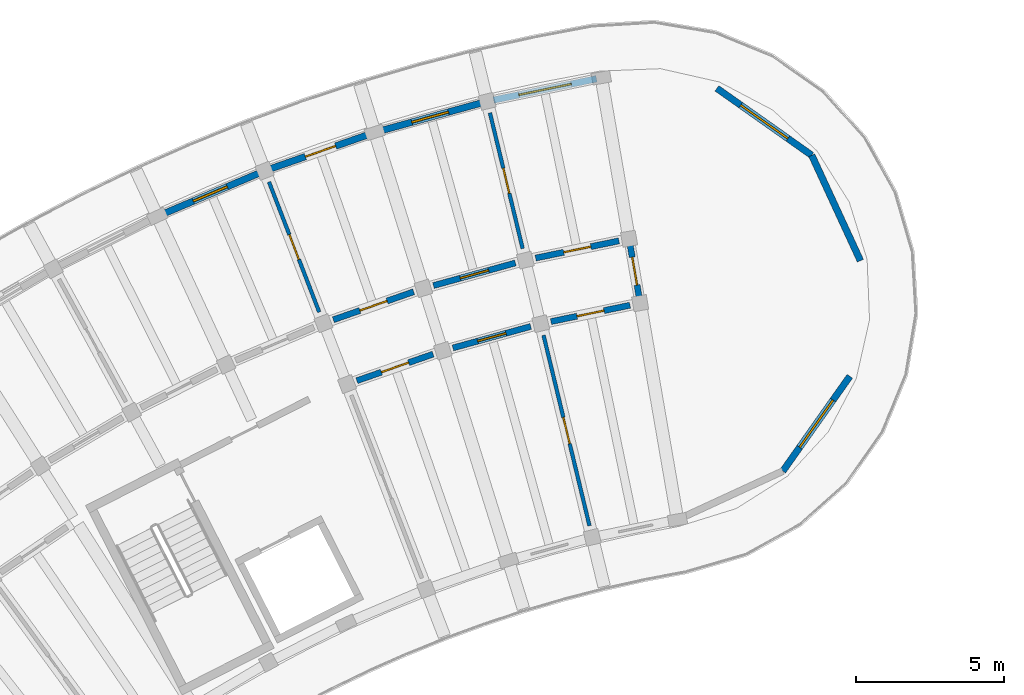
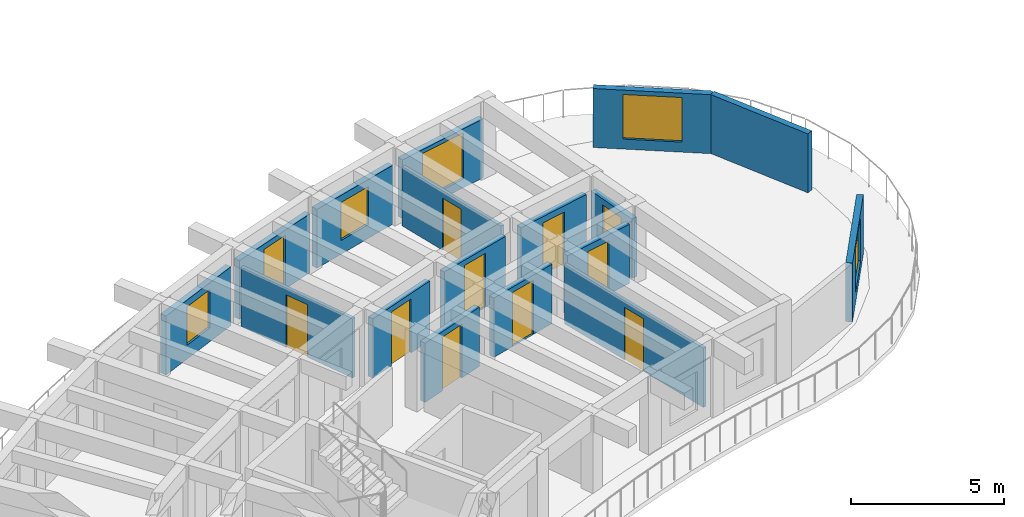
# One storey, part 22 of 41: 17 walls, 11 doors, 5 windows, 16 openings.
"""IFC4 building model written with IfcOpenShell, lengths in metres."""

import ifcopenshell
import ifcopenshell.guid

model = None  # the IFC model being written
_history = None  # IfcOwnerHistory: only IFC2X3 demands one
_inside = {}  # id of a spatial element -> (the spatial element, [elements in it])
_under = {}  # id of a project, library or spatial element -> (it, [spatial elements below it])
_declared = {}  # id of a project -> (the project, [libraries it declares])
_typed = {}  # id of a type object -> (the type object, [elements of that type])
_made_of = {}  # id of a material, layer set ... -> (it, [elements and type objects made of it])


def new_model(schema):
    """Start an empty IFC model of exactly this schema.

    Asked for "IFC4X3", IfcOpenShell would pick the latest addendum, in which some entities
    have other attributes; the version numbers below select the first issue.
    IFC2X3 requires an IfcOwnerHistory on every rooted entity: one is made here for all.
    """
    global model, _history
    if schema == "IFC4X3":
        model = ifcopenshell.file(schema_version=(4, 3, 0, 0))
    else:
        model = ifcopenshell.file(schema=schema)
    _inside.clear()
    _under.clear()
    _declared.clear()
    _typed.clear()
    _made_of.clear()
    _history = None
    if model.schema == "IFC2X3":
        org = make("IfcOrganization", Name="unknown")
        user = make(
            "IfcPersonAndOrganization",
            ThePerson=make("IfcPerson", FamilyName="unknown"),
            TheOrganization=org,
        )
        app = make(
            "IfcApplication",
            ApplicationDeveloper=org,
            Version="unknown",
            ApplicationFullName="unknown",
            ApplicationIdentifier="unknown",
        )
        _history = make(
            "IfcOwnerHistory",
            OwningUser=user,
            OwningApplication=app,
            ChangeAction="ADDED",
            CreationDate=0,
        )
    return model


def make(cls, **values):
    """One entity of the class cls with the attributes given. An attribute that is None is left unset."""
    return model.create_entity(
        cls, **{name: value for name, value in values.items() if value is not None}
    )


def rooted(cls, **values):
    """An entity with a GlobalId (a new one), such as an element, a storey or a relation."""
    return make(cls, GlobalId=ifcopenshell.guid.new(), OwnerHistory=_history, **values)


def si_unit(unit_type, name, prefix=None):
    """IfcSIUnit, for example si_unit("LENGTHUNIT", "METRE", prefix="MILLI")."""
    return make("IfcSIUnit", UnitType=unit_type, Prefix=prefix, Name=name)


def assignment(units):
    """IfcUnitAssignment: the units of a project."""
    return None if units is None else make("IfcUnitAssignment", Units=units)


def point(xyz):
    """IfcCartesianPoint."""
    return None if xyz is None else make("IfcCartesianPoint", Coordinates=xyz)


def direction(xyz):
    """IfcDirection."""
    return None if xyz is None else make("IfcDirection", DirectionRatios=xyz)


def frame(location, z_axis=None, x_axis=None):
    """IfcAxis2Placement3D, a coordinate frame: its origin and axes. An axis left out is left unset."""
    return make(
        "IfcAxis2Placement3D",
        Location=point(location),
        Axis=direction(z_axis),
        RefDirection=direction(x_axis),
    )


def frame_2d(location, x_axis=None):
    """IfcAxis2Placement2D, a coordinate frame in the plane: its origin and x axis."""
    return make(
        "IfcAxis2Placement2D", Location=point(location), RefDirection=direction(x_axis)
    )


def origin():
    """The frame at (0, 0, 0) with its axes left unset."""
    return frame((0.0, 0.0, 0.0))


def place(relative_to, where):
    """IfcLocalPlacement: puts the frame where relative to a parent placement (None: the world)."""
    return make(
        "IfcLocalPlacement", PlacementRelTo=relative_to, RelativePlacement=where
    )


def context(
    kind, dimensions, precision=None, world=None, true_north=None, identifier=None
):
    """IfcGeometricRepresentationContext, for example the 3D "Model" context."""
    return make(
        "IfcGeometricRepresentationContext",
        ContextIdentifier=identifier,
        ContextType=kind,
        CoordinateSpaceDimension=dimensions,
        Precision=precision,
        WorldCoordinateSystem=world,
        TrueNorth=true_north,
    )


def subcontext(parent, identifier, kind, view, scale=None):
    """IfcGeometricRepresentationSubContext, for example "Body" below "Model"."""
    return make(
        "IfcGeometricRepresentationSubContext",
        ContextIdentifier=identifier,
        ContextType=kind,
        ParentContext=parent,
        TargetScale=scale,
        TargetView=view,
    )


def project(units=None, contexts=None):
    """IfcProject with its units and contexts."""
    return rooted(
        "IfcProject",
        Name="project",
        RepresentationContexts=contexts,
        UnitsInContext=assignment(units),
    )


def spatial(cls, under=None, at=None, **own):
    """A site, building, storey or space (cls), placed at a placement, below another one or the project."""
    s = rooted(cls, ObjectPlacement=at, **own)
    if under is not None:
        _under.setdefault(under.id(), (under, []))[1].append(s)
    return s


def profile(cls, at=None, kind="AREA", **sizes):
    """A parametric profile (cls). Its sizes go by their IFC names, for example OverallWidth=200.0."""
    return make(cls, ProfileType=kind, Position=at, **sizes)


def rectangle(**sizes):
    """IfcRectangleProfileDef."""
    return profile("IfcRectangleProfileDef", **sizes)


def extrude(swept, where, along, depth):
    """IfcExtrudedAreaSolid: the profile swept, set in the frame where, extruded along a direction by depth."""
    return make(
        "IfcExtrudedAreaSolid",
        SweptArea=swept,
        Position=where,
        ExtrudedDirection=direction(along),
        Depth=depth,
    )


def shape(context_of_items, identifier, shape_type, items):
    """IfcShapeRepresentation: the items that make up one representation, for example the "Body"."""
    return make(
        "IfcShapeRepresentation",
        ContextOfItems=context_of_items,
        RepresentationIdentifier=identifier,
        RepresentationType=shape_type,
        Items=items,
    )


def material(Name=None, Category=None):
    """IfcMaterial."""
    return make("IfcMaterial", Name=Name, Category=Category)


def layer(
    of_material, thickness, ventilated=None, Name=None, Category=None, Priority=None
):
    """IfcMaterialLayer: one layer of a wall or slab, of a material (None: an air gap)."""
    return make(
        "IfcMaterialLayer",
        Material=of_material,
        LayerThickness=thickness,
        IsVentilated=ventilated,
        Name=Name,
        Category=Category,
        Priority=Priority,
    )


def layer_set(layers, Name=None):
    """IfcMaterialLayerSet."""
    return make("IfcMaterialLayerSet", MaterialLayers=layers, LayerSetName=Name)


def made_of(thing, what):
    """Note that an element or type object is made of a material, layer set ...; save() writes the relation."""
    if what is not None:
        _made_of.setdefault(what.id(), (what, []))[1].append(thing)
    return thing


def type_object(cls, material=None, **own):
    """A type object (cls), such as IfcWallType, which elements share."""
    return made_of(rooted(cls, **own), material)


def element(
    cls,
    number,
    at=None,
    inside=None,
    cuts=None,
    type_object=None,
    material=None,
    context=None,
    identifier="Body",
    shape_type=None,
    held_by="IfcProductDefinitionShape",
    body=None,
    shapes=None,
    **own,
):
    """One element of the class cls, such as IfcWall. Its Tag is "e" and its number.

    at: its placement. inside: the storey or other place that contains it. cuts: it is an
    opening in that element (IfcRelVoidsElement). A single representation is given by context,
    identifier, shape_type and body (its items); several are given by shapes. held_by: the class
    of the entity that holds the representations. save() writes the other relations.
    """
    e = rooted(cls, Tag="e%d" % number, ObjectPlacement=at, **own)
    if body is not None:
        shapes = [shape(context, identifier, shape_type, body)]
    if shapes is not None:
        e.Representation = make(held_by, Representations=shapes)
    if inside is not None:
        _inside.setdefault(inside.id(), (inside, []))[1].append(e)
    if cuts is not None:
        rooted(
            "IfcRelVoidsElement", RelatingBuildingElement=cuts, RelatedOpeningElement=e
        )
    if type_object is not None:
        _typed.setdefault(type_object.id(), (type_object, []))[1].append(e)
    return made_of(e, material)


def fill(opening, filler):
    """IfcRelFillsElement: the door or window that sits in an opening."""
    return rooted(
        "IfcRelFillsElement",
        RelatingOpeningElement=opening,
        RelatedBuildingElement=filler,
    )


def aggregate(whole, parts):
    """IfcRelAggregates: a whole, such as a stair, and the parts it consists of."""
    return rooted("IfcRelAggregates", RelatingObject=whole, RelatedObjects=parts)


def save(model, path):
    """Write the relations noted so far, then the file.

    IfcRelAggregates (storeys below a building ...), IfcRelContainedInSpatialStructure (elements
    in a storey), IfcRelDefinesByType, IfcRelAssociatesMaterial and IfcRelDeclares: one each for
    every whole, place, type object, material and project.
    """
    for whole, parts in _under.values():
        aggregate(whole, parts)
    for where, things in _inside.values():
        rooted(
            "IfcRelContainedInSpatialStructure",
            RelatedElements=things,
            RelatingStructure=where,
        )
    for kind, things in _typed.values():
        rooted("IfcRelDefinesByType", RelatedObjects=things, RelatingType=kind)
    for what, things in _made_of.values():
        rooted("IfcRelAssociatesMaterial", RelatedObjects=things, RelatingMaterial=what)
    for by, libraries in _declared.values():
        rooted("IfcRelDeclares", RelatingContext=by, RelatedDefinitions=libraries)
    model.write(path)


model = new_model("IFC4")

# Units and contexts
model_context = context("Model", 3, precision=1e-05, world=origin(), true_north=direction((0.0, 1.0)))
body_context = subcontext(model_context, "Body", "Model", "MODEL_VIEW")
ifc_project = project(units=[si_unit("LENGTHUNIT", "METRE"), si_unit("AREAUNIT", "SQUARE_METRE"), si_unit("VOLUMEUNIT", "CUBIC_METRE"), si_unit("PLANEANGLEUNIT", "RADIAN"), si_unit("MASSUNIT", "GRAM", prefix="KILO")], contexts=[model_context])

# Site, building, storey
site_placement = place(None, origin())
site = spatial("IfcSite", under=ifc_project, at=site_placement, CompositionType="ELEMENT")
building_placement = place(site_placement, origin())
building = spatial("IfcBuilding", under=site, at=building_placement, Name="Tanwirah Colonnade Gardens", CompositionType="ELEMENT")
storey_placement = place(building_placement, frame((0.0, 0.0, 35.719970703125)))
storey = spatial("IfcBuildingStorey", under=building, at=storey_placement, Name="L10", CompositionType="ELEMENT", Elevation=35.719970703125)

# Wall, opening, window
ifc_material_1 = material(Name="Limestone architectural precast concrete C40/50", Category="masonry")
ifc_layer_1 = layer(ifc_material_1, 0.22509765625)
ifc_layer_set_1 = layer_set([ifc_layer_1], Name="Limestone architectural precast concrete C40/50")
wall_type_1 = type_object("IfcWallType", Name="EW-PC225", PredefinedType="SOLIDWALL", material=ifc_layer_set_1)
wall_1_placement = place(storey_placement, frame((54.72509765625, 118.8515625, 0.0), z_axis=(0.0, 0.0, 1.0), x_axis=(-0.979336300967, -0.202238496848, 0.0)))
wall_1 = element("IfcWall", 1, at=wall_1_placement, inside=storey, type_object=wall_type_1, Name="Block A L10 OUT Precast Facade Wall 1", PredefinedType="SOLIDWALL", context=body_context, shape_type="SweptSolid", body=[
    extrude(rectangle(XDim=3.540771484375, YDim=0.22509765625, at=frame_2d((1.7705078125, 0.0))), origin(), (0.0, 0.0, 1.0), 2.35498046875),
])
opening_1_placement = place(wall_1_placement, frame((0.870361328125, 0.0, 0.35009765625)))
opening_1 = element("IfcOpeningElement", 2, at=opening_1_placement, cuts=wall_1, Name="Opening WIN-T14", PredefinedType="OPENING", context=body_context, shape_type="SweptSolid", body=[
    extrude(rectangle(XDim=1.800048828125, YDim=1.85009765625, at=frame_2d((0.89990234375, 0.925048828125))), frame((0.0, 0.12255859375, 0.0), z_axis=(0.0, -1.0, 0.0), x_axis=(1.0, 0.0, 0.0)), (0.0, 0.0, 1.0), 0.2451171875),
])
ifc_material_2 = material(Name="Thermally broken bronze aluminium and solar low-E double glazing", Category="aluminium")
window_type_1 = type_object("IfcWindowType", Name="WIN-T14", PartitioningType="TRIPLE_PANEL_VERTICAL", PredefinedType="WINDOW", material=ifc_material_2)
window_1_placement = place(opening_1_placement, origin())
window_1 = element("IfcWindow", 3, at=window_1_placement, inside=storey, type_object=window_type_1, Name="Facade window A-L10-OUT-01", OverallHeight=1.85009765625, OverallWidth=1.800048828125, PartitioningType="SINGLE_PANEL", PredefinedType="WINDOW", context=body_context, shape_type="SweptSolid", body=[
    extrude(rectangle(XDim=1.800048828125, YDim=1.85009765625, at=frame_2d((0.89990234375, 0.925048828125))), frame((0.0, 0.030029296875, 0.0), z_axis=(0.0, -1.0, 0.0), x_axis=(1.0, 0.0, 0.0)), (0.0, 0.0, 1.0), 0.06005859375),
])
fill(opening_1, window_1)

wall_2_placement = place(storey_placement, frame((50.830078125, 118.032470703125, 0.0), z_axis=(0.0, 0.0, 1.0), x_axis=(-0.963891366843, -0.266295762125, 0.0)))
wall_2 = element("IfcWall", 4, at=wall_2_placement, inside=storey, type_object=wall_type_1, Name="Block A L10 OUT Precast Facade Wall 2", PredefinedType="SOLIDWALL", context=body_context, shape_type="SweptSolid", body=[
    extrude(rectangle(XDim=3.540771484375, YDim=0.22509765625, at=frame_2d((1.7705078125, 0.0))), origin(), (0.0, 0.0, 1.0), 2.35498046875),
])
opening_2_placement = place(wall_2_placement, frame((1.13037109375, 0.0, 0.550048828125)))
opening_2 = element("IfcOpeningElement", 5, at=opening_2_placement, cuts=wall_2, Name="Opening WIN-T17", PredefinedType="OPENING", context=body_context, shape_type="SweptSolid", body=[
    extrude(rectangle(XDim=1.280029296875, YDim=1.52001953125, at=frame_2d((0.64013671875, 0.760009765625))), frame((0.0, 0.12255859375, 0.0), z_axis=(0.0, -1.0, 0.0), x_axis=(1.0, 0.0, 0.0)), (0.0, 0.0, 1.0), 0.2451171875),
])
window_type_2 = type_object("IfcWindowType", Name="WIN-T17", PartitioningType="SINGLE_PANEL", PredefinedType="WINDOW", material=ifc_material_2)
window_2_placement = place(opening_2_placement, origin())
window_2 = element("IfcWindow", 6, at=window_2_placement, inside=storey, type_object=window_type_2, Name="Facade window A-L10-OUT-02", OverallHeight=1.52001953125, OverallWidth=1.280029296875, PartitioningType="SINGLE_PANEL", PredefinedType="WINDOW", context=body_context, shape_type="SweptSolid", body=[
    extrude(rectangle(XDim=1.280029296875, YDim=1.52001953125, at=frame_2d((0.64013671875, 0.760009765625))), frame((0.0, 0.030029296875, 0.0), z_axis=(0.0, -1.0, 0.0), x_axis=(1.0, 0.0, 0.0)), (0.0, 0.0, 1.0), 0.06005859375),
])
fill(opening_2, window_2)

# Wall, opening, door
wall_3_placement = place(storey_placement, frame((47.1025390625, 116.991455078125, 0.0), z_axis=(0.0, 0.0, 1.0), x_axis=(-0.944250036963, -0.329229202373, 0.0)))
wall_3 = element("IfcWall", 7, at=wall_3_placement, inside=storey, type_object=wall_type_1, Name="Block A L10 OUT Precast Facade Wall 3", PredefinedType="SOLIDWALL", context=body_context, shape_type="SweptSolid", body=[
    extrude(rectangle(XDim=3.541015625, YDim=0.22509765625, at=frame_2d((1.7705078125, 0.0))), origin(), (0.0, 0.0, 1.0), 2.35498046875),
])
opening_3_placement = place(wall_3_placement, frame((1.230224609375, 0.0, 0.0)))
opening_3 = element("IfcOpeningElement", 8, at=opening_3_placement, cuts=wall_3, Name="Opening L10-ED047", PredefinedType="OPENING", context=body_context, shape_type="SweptSolid", body=[
    extrude(rectangle(XDim=1.080078125, YDim=2.14990234375, at=frame_2d((0.5400390625, 1.074951171875))), frame((0.0, 0.12255859375, 0.0), z_axis=(0.0, -1.0, 0.0), x_axis=(1.0, 0.0, 0.0)), (0.0, 0.0, 1.0), 0.2451171875),
])
ifc_material_3 = material(Name="Bronze aluminium glazed balcony door", Category="aluminium")
door_type_1 = type_object("IfcDoorType", Name="ED-BAL108", OperationType="NOTDEFINED", PredefinedType="DOOR", material=ifc_material_3)
door_1_placement = place(opening_3_placement, origin())
door_1 = element("IfcDoor", 9, at=door_1_placement, inside=storey, type_object=door_type_1, Name="Balcony glazed door L10-ED047", OperationType="SINGLE_SWING_RIGHT", OverallHeight=2.14990234375, OverallWidth=1.080078125, PredefinedType="DOOR", context=body_context, shape_type="SweptSolid", body=[
    extrude(rectangle(XDim=1.080078125, YDim=2.14990234375, at=frame_2d((0.5400390625, 1.074951171875))), frame((0.0, 0.02490234375, 0.0), z_axis=(0.0, -1.0, 0.0), x_axis=(1.0, 0.0, 0.0)), (0.0, 0.0, 1.0), 0.050048828125),
])
fill(opening_3, door_1)

# Wall, opening, window
wall_4_placement = place(storey_placement, frame((43.348876953125, 115.667236328125, 0.0), z_axis=(0.0, 0.0, 1.0), x_axis=(-0.920498375564, -0.390746389088, 0.0)))
wall_4 = element("IfcWall", 10, at=wall_4_placement, inside=storey, type_object=wall_type_1, Name="Block A L10 OUT Precast Facade Wall 4", PredefinedType="SOLIDWALL", context=body_context, shape_type="SweptSolid", body=[
    extrude(rectangle(XDim=3.540771484375, YDim=0.22509765625, at=frame_2d((1.7705078125, 0.0))), origin(), (0.0, 0.0, 1.0), 2.35498046875),
])
opening_4_placement = place(wall_4_placement, frame((1.150390625, 0.0, 0.550048828125)))
opening_4 = element("IfcOpeningElement", 11, at=opening_4_placement, cuts=wall_4, Name="Opening WIN-U03", PredefinedType="OPENING", context=body_context, shape_type="SweptSolid", body=[
    extrude(rectangle(XDim=1.239990234375, YDim=1.534912109375, at=frame_2d((0.6201171875, 0.767578125))), frame((0.0, 0.12255859375, 0.0), z_axis=(0.0, -1.0, 0.0), x_axis=(1.0, 0.0, 0.0)), (0.0, 0.0, 1.0), 0.2451171875),
])
window_type_3 = type_object("IfcWindowType", Name="WIN-U03", PartitioningType="DOUBLE_PANEL_VERTICAL", PredefinedType="WINDOW", material=ifc_material_2)
window_3_placement = place(opening_4_placement, origin())
window_3 = element("IfcWindow", 12, at=window_3_placement, inside=storey, type_object=window_type_3, Name="Facade window A-L10-OUT-04", OverallHeight=1.534912109375, OverallWidth=1.239990234375, PartitioningType="SINGLE_PANEL", PredefinedType="WINDOW", context=body_context, shape_type="SweptSolid", body=[
    extrude(rectangle(XDim=1.239990234375, YDim=1.534912109375, at=frame_2d((0.6201171875, 0.767578125))), frame((0.0, 0.030029296875, 0.0), z_axis=(0.0, -1.0, 0.0), x_axis=(1.0, 0.0, 0.0)), (0.0, 0.0, 1.0), 0.06005859375),
])
fill(opening_4, window_3)

wall_5_placement = place(storey_placement, frame((58.77880859375, 118.529296875, 0.0), z_axis=(0.0, 0.0, 1.0), x_axis=(0.816903802512, -0.576773939634, 0.0)))
wall_5 = element("IfcWall", 13, at=wall_5_placement, inside=storey, type_object=wall_type_1, Name="Block A L10 START Rounded End Wall 1", PredefinedType="SOLIDWALL", context=body_context, shape_type="SweptSolid", body=[
    extrude(rectangle(XDim=3.908203125, YDim=0.22509765625, at=frame_2d((1.9541015625, 0.0))), origin(), (0.0, 0.0, 1.0), 2.35498046875),
])
opening_5_placement = place(wall_5_placement, frame((0.97900390625, 0.0, 0.39990234375)))
opening_5 = element("IfcOpeningElement", 14, at=opening_5_placement, cuts=wall_5, Name="Opening WIN-END2", PredefinedType="OPENING", context=body_context, shape_type="SweptSolid", body=[
    extrude(rectangle(XDim=1.949951171875, YDim=1.780029296875, at=frame_2d((0.97509765625, 0.89013671875))), frame((0.0, 0.12255859375, 0.0), z_axis=(0.0, -1.0, 0.0), x_axis=(1.0, 0.0, 0.0)), (0.0, 0.0, 1.0), 0.2451171875),
])
window_type_4 = type_object("IfcWindowType", Name="WIN-END2", PartitioningType="TRIPLE_PANEL_VERTICAL", PredefinedType="WINDOW", material=ifc_material_2)
window_4_placement = place(opening_5_placement, origin())
window_4 = element("IfcWindow", 15, at=window_4_placement, inside=storey, type_object=window_type_4, Name="Rounded corner window A-L10-START-1", OverallHeight=1.780029296875, OverallWidth=1.949951171875, PartitioningType="SINGLE_PANEL", PredefinedType="WINDOW", context=body_context, shape_type="SweptSolid", body=[
    extrude(rectangle(XDim=1.949951171875, YDim=1.780029296875, at=frame_2d((0.97509765625, 0.89013671875))), frame((0.0, 0.030029296875, 0.0), z_axis=(0.0, -1.0, 0.0), x_axis=(1.0, 0.0, 0.0)), (0.0, 0.0, 1.0), 0.06005859375),
])
fill(opening_5, window_4)

# Wall
wall_6_placement = place(storey_placement, frame((61.971435546875, 116.275146484375, 0.0), z_axis=(0.0, 0.0, 1.0), x_axis=(0.419109676255, -0.907935614055, 0.0)))
element("IfcWall", 16, at=wall_6_placement, inside=storey, type_object=wall_type_1, Name="Block A L10 START Rounded End Wall 2", PredefinedType="SOLIDWALL", context=body_context, shape_type="SweptSolid", body=[
    extrude(rectangle(XDim=3.908203125, YDim=0.22509765625, at=frame_2d((1.9541015625, 0.0))), origin(), (0.0, 0.0, 1.0), 2.35498046875),
])

# Wall, opening, window
wall_7_placement = place(storey_placement, frame((63.253662109375, 108.8349609375, 0.0), z_axis=(0.0, 0.0, 1.0), x_axis=(-0.576773939634, -0.816903802512, 0.0)))
wall_7 = element("IfcWall", 17, at=wall_7_placement, inside=storey, type_object=wall_type_1, Name="Block A L10 START Rounded End Wall 4", PredefinedType="SOLIDWALL", context=body_context, shape_type="SweptSolid", body=[
    extrude(rectangle(XDim=3.908203125, YDim=0.22509765625, at=frame_2d((1.9541015625, 0.0))), origin(), (0.0, 0.0, 1.0), 2.35498046875),
])
opening_6_placement = place(wall_7_placement, frame((0.97900390625, 0.0, 0.39990234375)))
opening_6 = element("IfcOpeningElement", 18, at=opening_6_placement, cuts=wall_7, Name="Opening WIN-END2", PredefinedType="OPENING", context=body_context, shape_type="SweptSolid", body=[
    extrude(rectangle(XDim=1.949951171875, YDim=1.780029296875, at=frame_2d((0.97509765625, 0.89013671875))), frame((0.0, 0.12255859375, 0.0), z_axis=(0.0, -1.0, 0.0), x_axis=(1.0, 0.0, 0.0)), (0.0, 0.0, 1.0), 0.2451171875),
])
window_5_placement = place(opening_6_placement, origin())
window_5 = element("IfcWindow", 19, at=window_5_placement, inside=storey, type_object=window_type_4, Name="Rounded corner window A-L10-START-4", OverallHeight=1.780029296875, OverallWidth=1.949951171875, PartitioningType="SINGLE_PANEL", PredefinedType="WINDOW", context=body_context, shape_type="SweptSolid", body=[
    extrude(rectangle(XDim=1.949951171875, YDim=1.780029296875, at=frame_2d((0.97509765625, 0.89013671875))), frame((0.0, 0.030029296875, 0.0), z_axis=(0.0, -1.0, 0.0), x_axis=(1.0, 0.0, 0.0)), (0.0, 0.0, 1.0), 0.06005859375),
])
fill(opening_6, window_5)

# Wall, opening, door
ifc_material_4 = material(Name="Precast concrete C40/50", Category="concrete")
ifc_layer_2 = layer(ifc_material_4, 0.205078125)
ifc_layer_set_2 = layer_set([ifc_layer_2], Name="Precast concrete C40/50")
wall_type_2 = type_object("IfcWallType", Name="IW-CORR205", PredefinedType="PARTITIONING", material=ifc_layer_set_2)
wall_8_placement = place(storey_placement, frame((55.47802734375, 113.39404296875, 0.0), z_axis=(0.0, 0.0, 1.0), x_axis=(-0.979348418612, -0.202179808492, 0.0)))
wall_8 = element("IfcWall", 20, at=wall_8_placement, inside=storey, type_object=wall_type_2, Name="Block A L10 OUT Corridor Wall 1", PredefinedType="PARTITIONING", context=body_context, shape_type="SweptSolid", body=[
    extrude(rectangle(XDim=2.863037109375, YDim=0.205078125, at=frame_2d((1.431640625, 0.0))), origin(), (0.0, 0.0, 1.0), 2.3701171875),
])
opening_7_placement = place(wall_8_placement, frame((0.966552734375, 0.0, 0.0)))
opening_7 = element("IfcOpeningElement", 21, at=opening_7_placement, cuts=wall_8, Name="Opening L10-AD634", PredefinedType="OPENING", context=body_context, shape_type="SweptSolid", body=[
    extrude(rectangle(XDim=0.929931640625, YDim=2.1201171875, at=frame_2d((0.46484375, 1.06005859375))), frame((0.0, 0.112548828125, 0.0), z_axis=(0.0, -1.0, 0.0), x_axis=(1.0, 0.0, 0.0)), (0.0, 0.0, 1.0), 0.22509765625),
])
ifc_material_5 = material(Name="Solid oak fire-resisting apartment entrance door")
door_type_2 = type_object("IfcDoorType", Name="ID-FLT093", OperationType="NOTDEFINED", PredefinedType="DOOR", material=ifc_material_5)
door_2_placement = place(opening_7_placement, origin())
door_2 = element("IfcDoor", 22, at=door_2_placement, inside=storey, type_object=door_type_2, Name="Apartment corridor door L10-AD634", OperationType="SINGLE_SWING_RIGHT", OverallHeight=2.1201171875, OverallWidth=0.929931640625, PredefinedType="DOOR", context=body_context, shape_type="SweptSolid", body=[
    extrude(rectangle(XDim=0.929931640625, YDim=2.1201171875, at=frame_2d((0.46484375, 1.06005859375))), frame((0.0, 0.02490234375, 0.0), z_axis=(0.0, -1.0, 0.0), x_axis=(1.0, 0.0, 0.0)), (0.0, 0.0, 1.0), 0.050048828125),
])
fill(opening_7, door_2)

wall_9_placement = place(storey_placement, frame((55.851806640625, 111.22607421875, 0.0), z_axis=(0.0, 0.0, 1.0), x_axis=(-0.979349423541, -0.202174940608, 0.0)))
wall_9 = element("IfcWall", 23, at=wall_9_placement, inside=storey, type_object=wall_type_2, Name="Block A L10 IN Corridor Wall 1", PredefinedType="PARTITIONING", context=body_context, shape_type="SweptSolid", body=[
    extrude(rectangle(XDim=2.71826171875, YDim=0.205078125, at=frame_2d((1.359130859375, 0.0))), origin(), (0.0, 0.0, 1.0), 2.3701171875),
])
opening_8_placement = place(wall_9_placement, frame((0.89404296875, 0.0, 0.0)))
opening_8 = element("IfcOpeningElement", 24, at=opening_8_placement, cuts=wall_9, Name="Opening L10-AD635", PredefinedType="OPENING", context=body_context, shape_type="SweptSolid", body=[
    extrude(rectangle(XDim=0.929931640625, YDim=2.1201171875, at=frame_2d((0.46484375, 1.06005859375))), frame((0.0, 0.112548828125, 0.0), z_axis=(0.0, -1.0, 0.0), x_axis=(1.0, 0.0, 0.0)), (0.0, 0.0, 1.0), 0.22509765625),
])
door_3_placement = place(opening_8_placement, origin())
door_3 = element("IfcDoor", 25, at=door_3_placement, inside=storey, type_object=door_type_2, Name="Apartment corridor door L10-AD635", OperationType="SINGLE_SWING_LEFT", OverallHeight=2.1201171875, OverallWidth=0.929931640625, PredefinedType="DOOR", context=body_context, shape_type="SweptSolid", body=[
    extrude(rectangle(XDim=0.929931640625, YDim=2.1201171875, at=frame_2d((0.46484375, 1.06005859375))), frame((0.0, 0.02490234375, 0.0), z_axis=(0.0, -1.0, 0.0), x_axis=(1.0, 0.0, 0.0)), (0.0, 0.0, 1.0), 0.050048828125),
])
fill(opening_8, door_3)

wall_10_placement = place(storey_placement, frame((51.993896484375, 112.651123046875, 0.0), z_axis=(0.0, 0.0, 1.0), x_axis=(-0.963890789093, -0.266297853356, 0.0)))
wall_10 = element("IfcWall", 26, at=wall_10_placement, inside=storey, type_object=wall_type_2, Name="Block A L10 OUT Corridor Wall 2", PredefinedType="PARTITIONING", context=body_context, shape_type="SweptSolid", body=[
    extrude(rectangle(XDim=2.863037109375, YDim=0.205078125, at=frame_2d((1.431640625, 0.0))), origin(), (0.0, 0.0, 1.0), 2.3701171875),
])
opening_9_placement = place(wall_10_placement, frame((0.9365234375, 0.0, 0.0)))
opening_9 = element("IfcOpeningElement", 27, at=opening_9_placement, cuts=wall_10, Name="Opening L10-AD638", PredefinedType="OPENING", context=body_context, shape_type="SweptSolid", body=[
    extrude(rectangle(XDim=0.989990234375, YDim=2.159912109375, at=frame_2d((0.4951171875, 1.080078125))), frame((0.0, 0.112548828125, 0.0), z_axis=(0.0, -1.0, 0.0), x_axis=(1.0, 0.0, 0.0)), (0.0, 0.0, 1.0), 0.22509765625),
])
door_type_3 = type_object("IfcDoorType", Name="ID-FLT099", OperationType="NOTDEFINED", PredefinedType="DOOR", material=ifc_material_5)
door_4_placement = place(opening_9_placement, origin())
door_4 = element("IfcDoor", 28, at=door_4_placement, inside=storey, type_object=door_type_3, Name="Apartment corridor door L10-AD638", OperationType="SINGLE_SWING_LEFT", OverallHeight=2.159912109375, OverallWidth=0.989990234375, PredefinedType="DOOR", context=body_context, shape_type="SweptSolid", body=[
    extrude(rectangle(XDim=0.989990234375, YDim=2.159912109375, at=frame_2d((0.4951171875, 1.080078125))), frame((0.0, 0.02490234375, 0.0), z_axis=(0.0, -1.0, 0.0), x_axis=(1.0, 0.0, 0.0)), (0.0, 0.0, 1.0), 0.050048828125),
])
fill(opening_9, door_4)

wall_11_placement = place(storey_placement, frame((52.509521484375, 110.512451171875, 0.0), z_axis=(0.0, 0.0, 1.0), x_axis=(-0.96388375821, -0.266323301006, 0.0)))
wall_11 = element("IfcWall", 29, at=wall_11_placement, inside=storey, type_object=wall_type_2, Name="Block A L10 IN Corridor Wall 2", PredefinedType="PARTITIONING", context=body_context, shape_type="SweptSolid", body=[
    extrude(rectangle(XDim=2.718017578125, YDim=0.205078125, at=frame_2d((1.35888671875, 0.0))), origin(), (0.0, 0.0, 1.0), 2.3701171875),
])
opening_10_placement = place(wall_11_placement, frame((0.864013671875, 0.0, 0.0)))
opening_10 = element("IfcOpeningElement", 30, at=opening_10_placement, cuts=wall_11, Name="Opening L10-AD639", PredefinedType="OPENING", context=body_context, shape_type="SweptSolid", body=[
    extrude(rectangle(XDim=0.989990234375, YDim=2.159912109375, at=frame_2d((0.4951171875, 1.080078125))), frame((0.0, 0.112548828125, 0.0), z_axis=(0.0, -1.0, 0.0), x_axis=(1.0, 0.0, 0.0)), (0.0, 0.0, 1.0), 0.22509765625),
])
door_5_placement = place(opening_10_placement, origin())
door_5 = element("IfcDoor", 31, at=door_5_placement, inside=storey, type_object=door_type_3, Name="Apartment corridor door L10-AD639", OperationType="SINGLE_SWING_RIGHT", OverallHeight=2.159912109375, OverallWidth=0.989990234375, PredefinedType="DOOR", context=body_context, shape_type="SweptSolid", body=[
    extrude(rectangle(XDim=0.989990234375, YDim=2.159912109375, at=frame_2d((0.4951171875, 1.080078125))), frame((0.0, 0.02490234375, 0.0), z_axis=(0.0, -1.0, 0.0), x_axis=(1.0, 0.0, 0.0)), (0.0, 0.0, 1.0), 0.050048828125),
])
fill(opening_10, door_5)

wall_12_placement = place(storey_placement, frame((48.56640625, 111.68017578125, 0.0), z_axis=(0.0, 0.0, 1.0), x_axis=(-0.944253820929, -0.329218349522, 0.0)))
wall_12 = element("IfcWall", 32, at=wall_12_placement, inside=storey, type_object=wall_type_2, Name="Block A L10 OUT Corridor Wall 3", PredefinedType="PARTITIONING", context=body_context, shape_type="SweptSolid", body=[
    extrude(rectangle(XDim=2.86328125, YDim=0.205078125, at=frame_2d((1.431640625, 0.0))), origin(), (0.0, 0.0, 1.0), 2.3701171875),
])
opening_11_placement = place(wall_12_placement, frame((0.946533203125, 0.0, 0.0)))
opening_11 = element("IfcOpeningElement", 33, at=opening_11_placement, cuts=wall_12, Name="Opening L10-AD640", PredefinedType="OPENING", context=body_context, shape_type="SweptSolid", body=[
    extrude(rectangle(XDim=0.969970703125, YDim=2.14990234375, at=frame_2d((0.48486328125, 1.074951171875))), frame((0.0, 0.112548828125, 0.0), z_axis=(0.0, -1.0, 0.0), x_axis=(1.0, 0.0, 0.0)), (0.0, 0.0, 1.0), 0.22509765625),
])
door_type_4 = type_object("IfcDoorType", Name="ID-FLT097", OperationType="NOTDEFINED", PredefinedType="DOOR", material=ifc_material_5)
door_6_placement = place(opening_11_placement, origin())
door_6 = element("IfcDoor", 34, at=door_6_placement, inside=storey, type_object=door_type_4, Name="Apartment corridor door L10-AD640", OperationType="SINGLE_SWING_RIGHT", OverallHeight=2.14990234375, OverallWidth=0.969970703125, PredefinedType="DOOR", context=body_context, shape_type="SweptSolid", body=[
    extrude(rectangle(XDim=0.969970703125, YDim=2.14990234375, at=frame_2d((0.48486328125, 1.074951171875))), frame((0.0, 0.02490234375, 0.0), z_axis=(0.0, -1.0, 0.0), x_axis=(1.0, 0.0, 0.0)), (0.0, 0.0, 1.0), 0.050048828125),
])
fill(opening_11, door_6)

wall_13_placement = place(storey_placement, frame((49.221923828125, 109.580078125, 0.0), z_axis=(0.0, 0.0, 1.0), x_axis=(-0.944265123647, -0.329185929627, 0.0)))
wall_13 = element("IfcWall", 35, at=wall_13_placement, inside=storey, type_object=wall_type_2, Name="Block A L10 IN Corridor Wall 3", PredefinedType="PARTITIONING", context=body_context, shape_type="SweptSolid", body=[
    extrude(rectangle(XDim=2.71826171875, YDim=0.205078125, at=frame_2d((1.359130859375, 0.0))), origin(), (0.0, 0.0, 1.0), 2.3701171875),
])
opening_12_placement = place(wall_13_placement, frame((0.8740234375, 0.0, 0.0)))
opening_12 = element("IfcOpeningElement", 36, at=opening_12_placement, cuts=wall_13, Name="Opening L10-AD641", PredefinedType="OPENING", context=body_context, shape_type="SweptSolid", body=[
    extrude(rectangle(XDim=0.969970703125, YDim=2.14990234375, at=frame_2d((0.48486328125, 1.074951171875))), frame((0.0, 0.112548828125, 0.0), z_axis=(0.0, -1.0, 0.0), x_axis=(1.0, 0.0, 0.0)), (0.0, 0.0, 1.0), 0.22509765625),
])
door_7_placement = place(opening_12_placement, origin())
door_7 = element("IfcDoor", 37, at=door_7_placement, inside=storey, type_object=door_type_4, Name="Apartment corridor door L10-AD641", OperationType="SINGLE_SWING_LEFT", OverallHeight=2.14990234375, OverallWidth=0.969970703125, PredefinedType="DOOR", context=body_context, shape_type="SweptSolid", body=[
    extrude(rectangle(XDim=0.969970703125, YDim=2.14990234375, at=frame_2d((0.48486328125, 1.074951171875))), frame((0.0, 0.02490234375, 0.0), z_axis=(0.0, -1.0, 0.0), x_axis=(1.0, 0.0, 0.0)), (0.0, 0.0, 1.0), 0.050048828125),
])
fill(opening_12, door_7)

wall_14_placement = place(storey_placement, frame((56.18603515625, 111.34619140625, 0.0), z_axis=(0.0, 0.0, 1.0), x_axis=(-0.169864088707, 0.98546749889, 0.0)))
wall_14 = element("IfcWall", 38, at=wall_14_placement, inside=storey, type_object=wall_type_2, Name="Block A L10 CS Corner Suite Corridor Wall", PredefinedType="PARTITIONING", context=body_context, shape_type="SweptSolid", body=[
    extrude(rectangle(XDim=2.099853515625, YDim=0.205078125, at=frame_2d((1.0498046875, 0.0))), origin(), (0.0, 0.0, 1.0), 2.3701171875),
])
opening_13_placement = place(wall_14_placement, frame((0.570068359375, 0.0, 0.0)))
opening_13 = element("IfcOpeningElement", 39, at=opening_13_placement, cuts=wall_14, Name="Opening L10-CD673", PredefinedType="OPENING", context=body_context, shape_type="SweptSolid", body=[
    extrude(rectangle(XDim=0.949951171875, YDim=2.1298828125, at=frame_2d((0.47509765625, 1.06494140625))), frame((0.0, 0.112548828125, 0.0), z_axis=(0.0, -1.0, 0.0), x_axis=(1.0, 0.0, 0.0)), (0.0, 0.0, 1.0), 0.22509765625),
])
door_type_5 = type_object("IfcDoorType", Name="ID-FLT095", OperationType="NOTDEFINED", PredefinedType="DOOR", material=ifc_material_5)
door_8_placement = place(opening_13_placement, origin())
door_8 = element("IfcDoor", 40, at=door_8_placement, inside=storey, type_object=door_type_5, Name="Corner suite entrance door L10-CD673", OperationType="SINGLE_SWING_LEFT", OverallHeight=2.1298828125, OverallWidth=0.949951171875, PredefinedType="DOOR", context=body_context, shape_type="SweptSolid", body=[
    extrude(rectangle(XDim=0.949951171875, YDim=2.1298828125, at=frame_2d((0.47509765625, 1.06494140625))), frame((0.0, 0.02490234375, 0.0), z_axis=(0.0, -1.0, 0.0), x_axis=(1.0, 0.0, 0.0)), (0.0, 0.0, 1.0), 0.050048828125),
])
fill(opening_13, door_8)

ifc_material_6 = material(Name="Moisture-resistant gypsum stud partition")
ifc_layer_3 = layer(ifc_material_6, 0.125)
ifc_layer_set_3 = layer_set([ifc_layer_3], Name="Moisture-resistant gypsum stud partition")
wall_type_3 = type_object("IfcWallType", Name="IW-INT125", PredefinedType="PARTITIONING", material=ifc_layer_set_3)
wall_15_placement = place(storey_placement, frame((52.237548828125, 113.13330078125, 0.0), z_axis=(0.0, 0.0, 1.0), x_axis=(-0.234386624934, 0.972143461662, 0.0)))
wall_15 = element("IfcWall", 41, at=wall_15_placement, inside=storey, type_object=wall_type_3, Name="Block A L10 Radial Partition 1", PredefinedType="PARTITIONING", context=body_context, shape_type="SweptSolid", body=[
    extrude(rectangle(XDim=4.69970703125, YDim=0.125, at=frame_2d((2.349853515625, 0.0))), origin(), (0.0, 0.0, 1.0), 2.3701171875),
])
opening_14_placement = place(wall_15_placement, frame((1.9150390625, 0.0, 0.0)))
opening_14 = element("IfcOpeningElement", 42, at=opening_14_placement, cuts=wall_15, Name="Opening L10-RD636", PredefinedType="OPENING", context=body_context, shape_type="SweptSolid", body=[
    extrude(rectangle(XDim=0.8701171875, YDim=2.080078125, at=frame_2d((0.43505859375, 1.0400390625))), frame((0.0, 0.072509765625, 0.0), z_axis=(0.0, -1.0, 0.0), x_axis=(1.0, 0.0, 0.0)), (0.0, 0.0, 1.0), 0.14501953125),
])
ifc_material_7 = material(Name="Painted hardwood study door", Category="wood")
door_type_6 = type_object("IfcDoorType", Name="ID-RM087", OperationType="NOTDEFINED", PredefinedType="DOOR", material=ifc_material_7)
door_9_placement = place(opening_14_placement, origin())
door_9 = element("IfcDoor", 43, at=door_9_placement, inside=storey, type_object=door_type_6, Name="Internal apartment door L10-RD636", OperationType="SINGLE_SWING_RIGHT", OverallHeight=2.080078125, OverallWidth=0.8701171875, PredefinedType="DOOR", context=body_context, shape_type="SweptSolid", body=[
    extrude(rectangle(XDim=0.8701171875, YDim=2.080078125, at=frame_2d((0.43505859375, 1.0400390625))), frame((0.0, 0.02490234375, 0.0), z_axis=(0.0, -1.0, 0.0), x_axis=(1.0, 0.0, 0.0)), (0.0, 0.0, 1.0), 0.050048828125),
])
fill(opening_14, door_9)

wall_16_placement = place(storey_placement, frame((54.48779296875, 103.800537109375, 0.0), z_axis=(0.0, 0.0, 1.0), x_axis=(-0.234406698576, 0.972138621629, 0.0)))
wall_16 = element("IfcWall", 44, at=wall_16_placement, inside=storey, type_object=wall_type_3, Name="Block A L10 Inner Radial Partition 1", PredefinedType="PARTITIONING", context=body_context, shape_type="SweptSolid", body=[
    extrude(rectangle(XDim=6.60009765625, YDim=0.125, at=frame_2d((3.300048828125, 0.0))), origin(), (0.0, 0.0, 1.0), 2.3701171875),
])
opening_15_placement = place(wall_16_placement, frame((2.844970703125, 0.0, 0.0)))
opening_15 = element("IfcOpeningElement", 45, at=opening_15_placement, cuts=wall_16, Name="Opening L10-RD637", PredefinedType="OPENING", context=body_context, shape_type="SweptSolid", body=[
    extrude(rectangle(XDim=0.909912109375, YDim=2.10009765625, at=frame_2d((0.455078125, 1.050048828125))), frame((0.0, 0.072509765625, 0.0), z_axis=(0.0, -1.0, 0.0), x_axis=(1.0, 0.0, 0.0)), (0.0, 0.0, 1.0), 0.14501953125),
])
ifc_material_8 = material(Name="Painted hardwood internal room door", Category="wood")
door_type_7 = type_object("IfcDoorType", Name="ID-RM091", OperationType="NOTDEFINED", PredefinedType="DOOR", material=ifc_material_8)
door_10_placement = place(opening_15_placement, origin())
door_10 = element("IfcDoor", 46, at=door_10_placement, inside=storey, type_object=door_type_7, Name="Internal apartment door L10-RD637", OperationType="SINGLE_SWING_LEFT", OverallHeight=2.10009765625, OverallWidth=0.909912109375, PredefinedType="DOOR", context=body_context, shape_type="SweptSolid", body=[
    extrude(rectangle(XDim=0.909912109375, YDim=2.10009765625, at=frame_2d((0.455078125, 1.050048828125))), frame((0.0, 0.02490234375, 0.0), z_axis=(0.0, -1.0, 0.0), x_axis=(1.0, 0.0, 0.0)), (0.0, 0.0, 1.0), 0.050048828125),
])
fill(opening_15, door_10)

wall_17_placement = place(storey_placement, frame((45.388427734375, 110.99560546875, 0.0), z_axis=(0.0, 0.0, 1.0), x_axis=(-0.360186633854, 0.932880264982, 0.0)))
wall_17 = element("IfcWall", 47, at=wall_17_placement, inside=storey, type_object=wall_type_3, Name="Block A L10 Radial Partition 3", PredefinedType="PARTITIONING", context=body_context, shape_type="SweptSolid", body=[
    extrude(rectangle(XDim=4.699951171875, YDim=0.125, at=frame_2d((2.35009765625, 0.0))), origin(), (0.0, 0.0, 1.0), 2.3701171875),
])
opening_16_placement = place(wall_17_placement, frame((1.905029296875, 0.0, 0.0)))
opening_16 = element("IfcOpeningElement", 48, at=opening_16_placement, cuts=wall_17, Name="Opening L10-RD642", PredefinedType="OPENING", context=body_context, shape_type="SweptSolid", body=[
    extrude(rectangle(XDim=0.889892578125, YDim=2.10009765625, at=frame_2d((0.44482421875, 1.050048828125))), frame((0.0, 0.072509765625, 0.0), z_axis=(0.0, -1.0, 0.0), x_axis=(1.0, 0.0, 0.0)), (0.0, 0.0, 1.0), 0.14501953125),
])
ifc_material_9 = material(Name="Painted hardwood bedroom door", Category="wood")
door_type_8 = type_object("IfcDoorType", Name="ID-RM089", OperationType="NOTDEFINED", PredefinedType="DOOR", material=ifc_material_9)
door_11_placement = place(opening_16_placement, origin())
door_11 = element("IfcDoor", 49, at=door_11_placement, inside=storey, type_object=door_type_8, Name="Internal apartment door L10-RD642", OperationType="SINGLE_SWING_RIGHT", OverallHeight=2.10009765625, OverallWidth=0.889892578125, PredefinedType="DOOR", context=body_context, shape_type="SweptSolid", body=[
    extrude(rectangle(XDim=0.889892578125, YDim=2.10009765625, at=frame_2d((0.44482421875, 1.050048828125))), frame((0.0, 0.02490234375, 0.0), z_axis=(0.0, -1.0, 0.0), x_axis=(1.0, 0.0, 0.0)), (0.0, 0.0, 1.0), 0.050048828125),
])
fill(opening_16, door_11)

save(model, "model.ifc")
